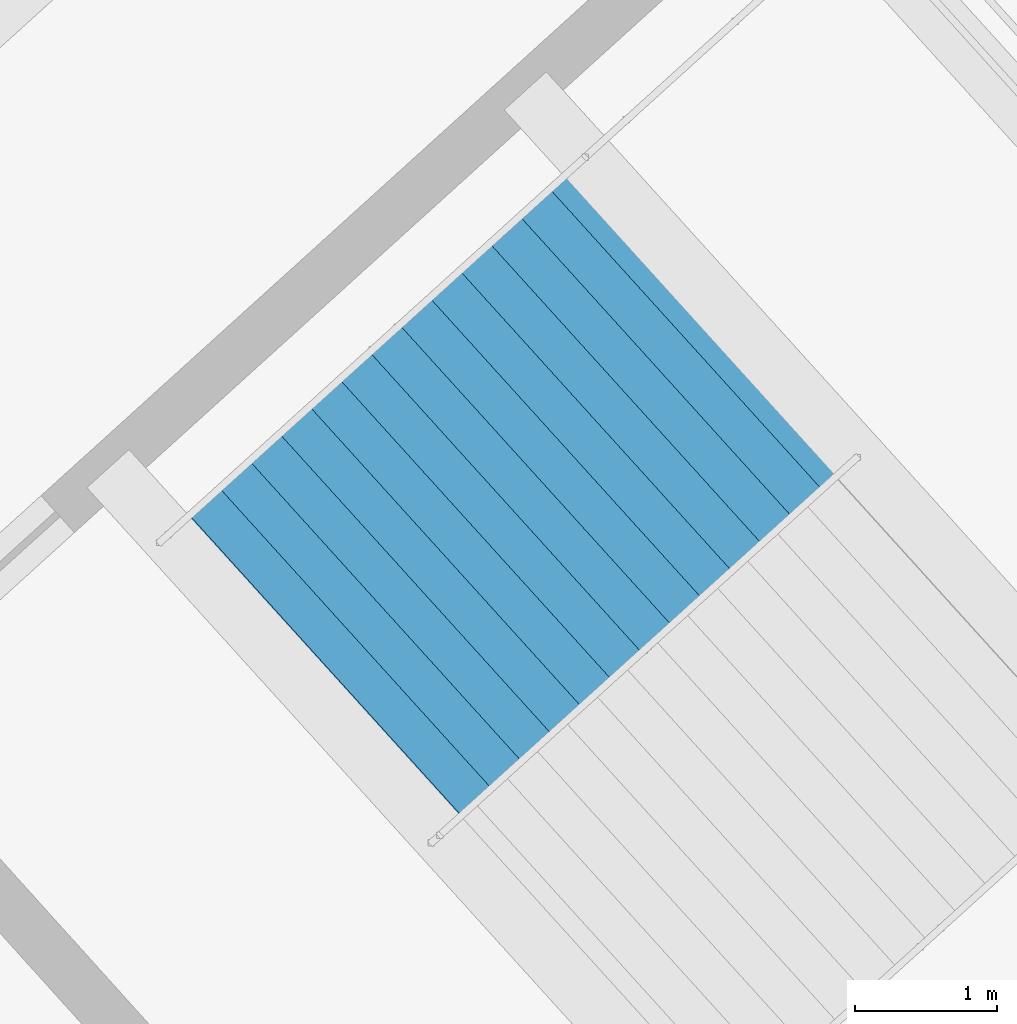
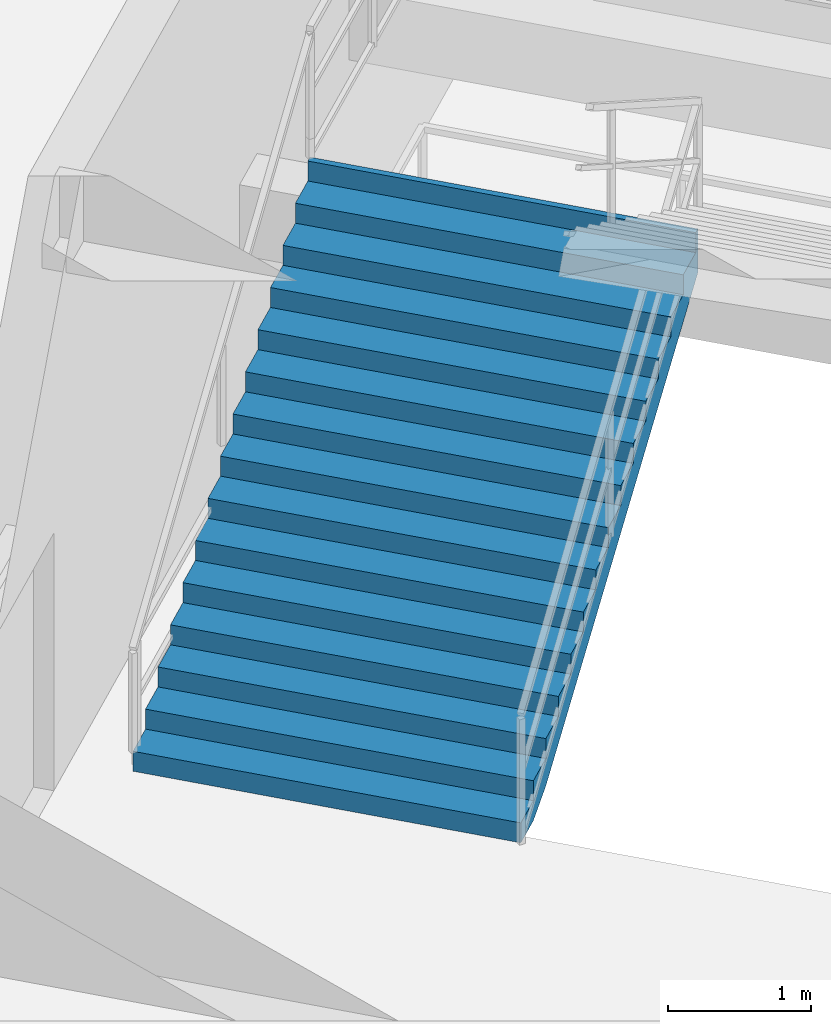
# One storey, part 162 of 184: 1 stair flight, 1 element without a shape of its own.
"""IFC4 building model written with IfcOpenShell, lengths in metres."""

import ifcopenshell
import ifcopenshell.guid

model = None  # the IFC model being written
_history = None  # IfcOwnerHistory: only IFC2X3 demands one
_inside = {}  # id of a spatial element -> (the spatial element, [elements in it])
_under = {}  # id of a project, library or spatial element -> (it, [spatial elements below it])
_declared = {}  # id of a project -> (the project, [libraries it declares])
_typed = {}  # id of a type object -> (the type object, [elements of that type])
_made_of = {}  # id of a material, layer set ... -> (it, [elements and type objects made of it])


def new_model(schema):
    """Start an empty IFC model of exactly this schema.

    Asked for "IFC4X3", IfcOpenShell would pick the latest addendum, in which some entities
    have other attributes; the version numbers below select the first issue.
    IFC2X3 requires an IfcOwnerHistory on every rooted entity: one is made here for all.
    """
    global model, _history
    if schema == "IFC4X3":
        model = ifcopenshell.file(schema_version=(4, 3, 0, 0))
    else:
        model = ifcopenshell.file(schema=schema)
    _inside.clear()
    _under.clear()
    _declared.clear()
    _typed.clear()
    _made_of.clear()
    _history = None
    if model.schema == "IFC2X3":
        org = make("IfcOrganization", Name="unknown")
        user = make(
            "IfcPersonAndOrganization",
            ThePerson=make("IfcPerson", FamilyName="unknown"),
            TheOrganization=org,
        )
        app = make(
            "IfcApplication",
            ApplicationDeveloper=org,
            Version="unknown",
            ApplicationFullName="unknown",
            ApplicationIdentifier="unknown",
        )
        _history = make(
            "IfcOwnerHistory",
            OwningUser=user,
            OwningApplication=app,
            ChangeAction="ADDED",
            CreationDate=0,
        )
    return model


def make(cls, **values):
    """One entity of the class cls with the attributes given. An attribute that is None is left unset."""
    return model.create_entity(
        cls, **{name: value for name, value in values.items() if value is not None}
    )


def rooted(cls, **values):
    """An entity with a GlobalId (a new one), such as an element, a storey or a relation."""
    return make(cls, GlobalId=ifcopenshell.guid.new(), OwnerHistory=_history, **values)


def si_unit(unit_type, name, prefix=None):
    """IfcSIUnit, for example si_unit("LENGTHUNIT", "METRE", prefix="MILLI")."""
    return make("IfcSIUnit", UnitType=unit_type, Prefix=prefix, Name=name)


def assignment(units):
    """IfcUnitAssignment: the units of a project."""
    return None if units is None else make("IfcUnitAssignment", Units=units)


def point(xyz):
    """IfcCartesianPoint."""
    return None if xyz is None else make("IfcCartesianPoint", Coordinates=xyz)


def direction(xyz):
    """IfcDirection."""
    return None if xyz is None else make("IfcDirection", DirectionRatios=xyz)


def frame(location, z_axis=None, x_axis=None):
    """IfcAxis2Placement3D, a coordinate frame: its origin and axes. An axis left out is left unset."""
    return make(
        "IfcAxis2Placement3D",
        Location=point(location),
        Axis=direction(z_axis),
        RefDirection=direction(x_axis),
    )


def origin():
    """The frame at (0, 0, 0) with its axes left unset."""
    return frame((0.0, 0.0, 0.0))


def place(relative_to, where):
    """IfcLocalPlacement: puts the frame where relative to a parent placement (None: the world)."""
    return make(
        "IfcLocalPlacement", PlacementRelTo=relative_to, RelativePlacement=where
    )


def context(
    kind, dimensions, precision=None, world=None, true_north=None, identifier=None
):
    """IfcGeometricRepresentationContext, for example the 3D "Model" context."""
    return make(
        "IfcGeometricRepresentationContext",
        ContextIdentifier=identifier,
        ContextType=kind,
        CoordinateSpaceDimension=dimensions,
        Precision=precision,
        WorldCoordinateSystem=world,
        TrueNorth=true_north,
    )


def subcontext(parent, identifier, kind, view, scale=None):
    """IfcGeometricRepresentationSubContext, for example "Body" below "Model"."""
    return make(
        "IfcGeometricRepresentationSubContext",
        ContextIdentifier=identifier,
        ContextType=kind,
        ParentContext=parent,
        TargetScale=scale,
        TargetView=view,
    )


def project(units=None, contexts=None):
    """IfcProject with its units and contexts."""
    return rooted(
        "IfcProject",
        Name="project",
        RepresentationContexts=contexts,
        UnitsInContext=assignment(units),
    )


def spatial(cls, under=None, at=None, **own):
    """A site, building, storey or space (cls), placed at a placement, below another one or the project."""
    s = rooted(cls, ObjectPlacement=at, **own)
    if under is not None:
        _under.setdefault(under.id(), (under, []))[1].append(s)
    return s


def point_list(points):
    """IfcCartesianPointList2D or 3D."""
    cls = (
        "IfcCartesianPointList2D" if len(points[0]) == 2 else "IfcCartesianPointList3D"
    )
    return make(cls, CoordList=points)


def polygons(points, faces, closed=None, point_numbers=None):
    """IfcPolygonalFaceSet: a face is its outer loop, then its inner loops; points numbered from 1."""
    made = []
    for loops in faces:
        if len(loops) == 1:
            made.append(make("IfcIndexedPolygonalFace", CoordIndex=loops[0]))
        else:
            made.append(
                make(
                    "IfcIndexedPolygonalFaceWithVoids",
                    CoordIndex=loops[0],
                    InnerCoordIndices=loops[1:],
                )
            )
    return make(
        "IfcPolygonalFaceSet",
        Coordinates=point_list(points),
        Closed=closed,
        Faces=made,
        PnIndex=point_numbers,
    )


def shape(context_of_items, identifier, shape_type, items):
    """IfcShapeRepresentation: the items that make up one representation, for example the "Body"."""
    return make(
        "IfcShapeRepresentation",
        ContextOfItems=context_of_items,
        RepresentationIdentifier=identifier,
        RepresentationType=shape_type,
        Items=items,
    )


def material(Name=None, Category=None):
    """IfcMaterial."""
    return make("IfcMaterial", Name=Name, Category=Category)


def made_of(thing, what):
    """Note that an element or type object is made of a material, layer set ...; save() writes the relation."""
    if what is not None:
        _made_of.setdefault(what.id(), (what, []))[1].append(thing)
    return thing


def type_object(cls, material=None, **own):
    """A type object (cls), such as IfcWallType, which elements share."""
    return made_of(rooted(cls, **own), material)


def element(
    cls,
    number,
    at=None,
    inside=None,
    cuts=None,
    type_object=None,
    material=None,
    context=None,
    identifier="Body",
    shape_type=None,
    held_by="IfcProductDefinitionShape",
    body=None,
    shapes=None,
    **own,
):
    """One element of the class cls, such as IfcWall. Its Tag is "e" and its number.

    at: its placement. inside: the storey or other place that contains it. cuts: it is an
    opening in that element (IfcRelVoidsElement). A single representation is given by context,
    identifier, shape_type and body (its items); several are given by shapes. held_by: the class
    of the entity that holds the representations. save() writes the other relations.
    """
    e = rooted(cls, Tag="e%d" % number, ObjectPlacement=at, **own)
    if body is not None:
        shapes = [shape(context, identifier, shape_type, body)]
    if shapes is not None:
        e.Representation = make(held_by, Representations=shapes)
    if inside is not None:
        _inside.setdefault(inside.id(), (inside, []))[1].append(e)
    if cuts is not None:
        rooted(
            "IfcRelVoidsElement", RelatingBuildingElement=cuts, RelatedOpeningElement=e
        )
    if type_object is not None:
        _typed.setdefault(type_object.id(), (type_object, []))[1].append(e)
    return made_of(e, material)


def aggregate(whole, parts):
    """IfcRelAggregates: a whole, such as a stair, and the parts it consists of."""
    return rooted("IfcRelAggregates", RelatingObject=whole, RelatedObjects=parts)


def save(model, path):
    """Write the relations noted so far, then the file.

    IfcRelAggregates (storeys below a building ...), IfcRelContainedInSpatialStructure (elements
    in a storey), IfcRelDefinesByType, IfcRelAssociatesMaterial and IfcRelDeclares: one each for
    every whole, place, type object, material and project.
    """
    for whole, parts in _under.values():
        aggregate(whole, parts)
    for where, things in _inside.values():
        rooted(
            "IfcRelContainedInSpatialStructure",
            RelatedElements=things,
            RelatingStructure=where,
        )
    for kind, things in _typed.values():
        rooted("IfcRelDefinesByType", RelatedObjects=things, RelatingType=kind)
    for what, things in _made_of.values():
        rooted("IfcRelAssociatesMaterial", RelatedObjects=things, RelatingMaterial=what)
    for by, libraries in _declared.values():
        rooted("IfcRelDeclares", RelatingContext=by, RelatedDefinitions=libraries)
    model.write(path)


model = new_model("IFC4")

# Units and contexts
model_context = context("Model", 3, precision=1e-05, world=origin(), true_north=direction((0.0, 1.0)))
body_context = subcontext(model_context, "Body", "Model", "MODEL_VIEW")
ifc_project = project(units=[si_unit("LENGTHUNIT", "METRE"), si_unit("AREAUNIT", "SQUARE_METRE"), si_unit("VOLUMEUNIT", "CUBIC_METRE"), si_unit("PLANEANGLEUNIT", "RADIAN"), si_unit("MASSUNIT", "GRAM", prefix="KILO")], contexts=[model_context])

# Site, building, storey
site_placement = place(None, origin())
site = spatial("IfcSite", under=ifc_project, at=site_placement, CompositionType="ELEMENT")
building_placement = place(site_placement, origin())
building = spatial("IfcBuilding", under=site, at=building_placement, Name="Kazemori Nagisa Stadium", CompositionType="ELEMENT")
storey_placement = place(building_placement, frame((0.0, 0.0, 10.5400390625)))
storey = spatial("IfcBuildingStorey", under=building, at=storey_placement, Name="L02", CompositionType="ELEMENT", Elevation=10.5400390625)

# Stair, stair flight
ifc_material = material(Name="Concrete C36/45 (Fc36)", Category="concrete")
stair_type = type_object("IfcStairType", Name="Stair_CORE_30", PredefinedType="TWO_STRAIGHT_RUN_STAIR", material=ifc_material)
stair_placement = place(storey_placement, origin())
stair = element("IfcStair", 1, at=stair_placement, inside=storey, type_object=stair_type, Name="Exit stair ST04 L02", PredefinedType="TWO_STRAIGHT_RUN_STAIR")
stair_flight_type = type_object("IfcStairFlightType", Name="Flight_CORE_15", PredefinedType="STRAIGHT", material=ifc_material)
stair_flight_placement = place(storey_placement, frame((182.77587890625, 39.410400390625, 0.0), z_axis=(0.0, 0.0, 1.0), x_axis=(0.741356002691, 0.671111970742, 0.0)))
stair_flight = element("IfcStairFlight", 2, at=stair_flight_placement, type_object=stair_flight_type, Name="Exit stair ST04 L02 flight 1", NumberOfRisers=15, NumberOfTreads=14, PredefinedType="STRAIGHT", RiserHeight=0.17, TreadLength=0.285, context=body_context, shape_type="Tessellation", body=[
    polygons([(0.0, -1.425048828125, 0.0), (0.0, -1.425048828125, 0.169921875), (0.284912109375, -1.425048828125, 0.169921875), (0.284912109375, -1.425048828125, 0.340087890625), (0.570068359375, -1.425048828125, 0.340087890625), (0.570068359375, -1.425048828125, 0.510009765625), (0.85498046875, -1.425048828125, 0.510009765625), (0.85498046875, -1.425048828125, 0.679931640625), (1.139892578125, -1.425048828125, 0.679931640625), (1.139892578125, -1.425048828125, 0.85009765625), (1.425048828125, -1.425048828125, 0.85009765625), (1.425048828125, -1.425048828125, 1.02001953125), (1.7099609375, -1.425048828125, 1.02001953125), (1.7099609375, -1.425048828125, 1.18994140625), (1.9951171875, -1.425048828125, 1.18994140625), (1.9951171875, -1.425048828125, 1.360107421875), (2.280029296875, -1.425048828125, 1.360107421875), (2.280029296875, -1.425048828125, 1.530029296875), (2.56494140625, -1.425048828125, 1.530029296875), (2.56494140625, -1.425048828125, 1.699951171875), (2.85009765625, -1.425048828125, 1.699951171875), (2.85009765625, -1.425048828125, 1.8701171875), (3.135009765625, -1.425048828125, 1.8701171875), (3.135009765625, -1.425048828125, 2.0400390625), (3.419921875, -1.425048828125, 2.0400390625), (3.419921875, -1.425048828125, 2.2099609375), (3.705078125, -1.425048828125, 2.2099609375), (3.705078125, -1.425048828125, 2.3798828125), (3.989990234375, -1.425048828125, 2.3798828125), (3.989990234375, -1.425048828125, 2.550048828125), (4.0400390625, -1.425048828125, 2.550048828125), (4.0400390625, -1.425048828125, 2.177001953125), (3.989990234375, -1.425048828125, 2.147216796875), (3.705078125, -1.425048828125, 1.977294921875), (3.419921875, -1.425048828125, 1.80712890625), (3.135009765625, -1.425048828125, 1.63720703125), (2.85009765625, -1.425048828125, 1.46728515625), (2.56494140625, -1.425048828125, 1.297119140625), (2.280029296875, -1.425048828125, 1.127197265625), (1.9951171875, -1.425048828125, 0.957275390625), (1.7099609375, -1.425048828125, 0.787109375), (1.425048828125, -1.425048828125, 0.6171875), (1.139892578125, -1.425048828125, 0.447265625), (0.85498046875, -1.425048828125, 0.277099609375), (0.570068359375, -1.425048828125, 0.107177734375), (0.284912109375, -1.425048828125, 0.0), (0.0, -0.08544921875, 0.0), (0.0, -0.08544921875, 0.169921875), (0.284912109375, -0.08544921875, 0.169921875), (0.284912109375, -0.08544921875, 0.340087890625), (0.570068359375, -0.08544921875, 0.340087890625), (0.570068359375, -0.08544921875, 0.510009765625), (0.85498046875, -0.08544921875, 0.510009765625), (0.85498046875, -0.08544921875, 0.679931640625), (1.139892578125, -0.08544921875, 0.679931640625), (1.139892578125, -0.08544921875, 0.85009765625), (1.425048828125, -0.08544921875, 0.85009765625), (1.425048828125, -0.08544921875, 1.02001953125), (1.7099609375, -0.08544921875, 1.02001953125), (1.7099609375, -0.08544921875, 1.18994140625), (1.9951171875, -0.08544921875, 1.18994140625), (1.9951171875, -0.08544921875, 1.360107421875), (2.280029296875, -0.08544921875, 1.360107421875), (2.280029296875, -0.08544921875, 1.530029296875), (2.56494140625, -0.08544921875, 1.530029296875), (2.56494140625, -0.08544921875, 1.699951171875), (2.85009765625, -0.08544921875, 1.699951171875), (2.85009765625, -0.08544921875, 1.8701171875), (3.135009765625, -0.08544921875, 1.8701171875), (3.135009765625, -0.08544921875, 2.0400390625), (3.419921875, -0.08544921875, 2.0400390625), (3.419921875, -0.08544921875, 2.2099609375), (3.705078125, -0.08544921875, 2.2099609375), (3.705078125, -0.08544921875, 2.3798828125), (3.989990234375, -0.08544921875, 2.3798828125), (3.989990234375, -0.08544921875, 2.550048828125), (4.0400390625, -0.08544921875, 2.550048828125), (4.0400390625, -0.08544921875, 2.177001953125), (3.989990234375, -0.08544921875, 2.147216796875), (3.705078125, -0.08544921875, 1.977294921875), (3.419921875, -0.08544921875, 1.80712890625), (3.135009765625, -0.08544921875, 1.63720703125), (2.85009765625, -0.08544921875, 1.46728515625), (2.56494140625, -0.08544921875, 1.297119140625), (2.280029296875, -0.08544921875, 1.127197265625), (1.9951171875, -0.08544921875, 0.957275390625), (1.7099609375, -0.08544921875, 0.787109375), (1.425048828125, -0.08544921875, 0.6171875), (1.139892578125, -0.08544921875, 0.447265625), (0.85498046875, -0.08544921875, 0.277099609375), (0.570068359375, -0.08544921875, 0.107177734375), (0.284912109375, -0.08544921875, 0.0), (0.0, 0.0, 0.0), (0.0, 0.0, 0.169921875), (0.284912109375, 0.0, 0.169921875), (0.284912109375, 0.0, 0.340087890625), (0.570068359375, 0.0, 0.340087890625), (0.570068359375, 0.0, 0.510009765625), (0.85498046875, 0.0, 0.510009765625), (0.85498046875, 0.0, 0.679931640625), (1.139892578125, 0.0, 0.679931640625), (1.139892578125, 0.0, 0.85009765625), (1.425048828125, 0.0, 0.85009765625), (1.425048828125, 0.0, 1.02001953125), (1.7099609375, 0.0, 1.02001953125), (1.7099609375, 0.0, 1.18994140625), (1.9951171875, 0.0, 1.18994140625), (1.9951171875, 0.0, 1.360107421875), (2.280029296875, 0.0, 1.360107421875), (2.280029296875, 0.0, 1.530029296875), (2.56494140625, 0.0, 1.530029296875), (2.56494140625, 0.0, 1.699951171875), (2.85009765625, 0.0, 1.699951171875), (2.85009765625, 0.0, 1.8701171875), (3.135009765625, 0.0, 1.8701171875), (3.135009765625, 0.0, 2.0400390625), (3.419921875, 0.0, 2.0400390625), (3.419921875, 0.0, 2.2099609375), (3.705078125, 0.0, 2.2099609375), (3.705078125, 0.0, 2.3798828125), (3.989990234375, 0.0, 2.3798828125), (3.989990234375, 0.0, 2.550048828125), (4.0400390625, 0.0, 2.550048828125), (4.0400390625, 0.0, 2.177001953125), (3.989990234375, 0.0, 2.147216796875), (3.705078125, 0.0, 1.977294921875), (3.419921875, 0.0, 1.80712890625), (3.135009765625, 0.0, 1.63720703125), (2.85009765625, 0.0, 1.46728515625), (2.56494140625, 0.0, 1.297119140625), (2.280029296875, 0.0, 1.127197265625), (1.9951171875, 0.0, 0.957275390625), (1.7099609375, 0.0, 0.787109375), (1.425048828125, 0.0, 0.6171875), (1.139892578125, 0.0, 0.447265625), (0.85498046875, 0.0, 0.277099609375), (0.570068359375, 0.0, 0.107177734375), (0.284912109375, 0.0, 0.0), (0.0, 0.08544921875, 0.0), (0.0, 0.08544921875, 0.169921875), (0.284912109375, 0.08544921875, 0.169921875), (0.284912109375, 0.08544921875, 0.340087890625), (0.570068359375, 0.08544921875, 0.340087890625), (0.570068359375, 0.08544921875, 0.510009765625), (0.85498046875, 0.08544921875, 0.510009765625), (0.85498046875, 0.08544921875, 0.679931640625), (1.139892578125, 0.08544921875, 0.679931640625), (1.139892578125, 0.08544921875, 0.85009765625), (1.425048828125, 0.08544921875, 0.85009765625), (1.425048828125, 0.08544921875, 1.02001953125), (1.7099609375, 0.08544921875, 1.02001953125), (1.7099609375, 0.08544921875, 1.18994140625), (1.9951171875, 0.08544921875, 1.18994140625), (1.9951171875, 0.08544921875, 1.360107421875), (2.280029296875, 0.08544921875, 1.360107421875), (2.280029296875, 0.08544921875, 1.530029296875), (2.56494140625, 0.08544921875, 1.530029296875), (2.56494140625, 0.08544921875, 1.699951171875), (2.85009765625, 0.08544921875, 1.699951171875), (2.85009765625, 0.08544921875, 1.8701171875), (3.135009765625, 0.08544921875, 1.8701171875), (3.135009765625, 0.08544921875, 2.0400390625), (3.419921875, 0.08544921875, 2.0400390625), (3.419921875, 0.08544921875, 2.2099609375), (3.705078125, 0.08544921875, 2.2099609375), (3.705078125, 0.08544921875, 2.3798828125), (3.989990234375, 0.08544921875, 2.3798828125), (3.989990234375, 0.08544921875, 2.550048828125), (4.0400390625, 0.08544921875, 2.550048828125), (4.0400390625, 0.08544921875, 2.177001953125), (3.989990234375, 0.08544921875, 2.147216796875), (3.705078125, 0.08544921875, 1.977294921875), (3.419921875, 0.08544921875, 1.80712890625), (3.135009765625, 0.08544921875, 1.63720703125), (2.85009765625, 0.08544921875, 1.46728515625), (2.56494140625, 0.08544921875, 1.297119140625), (2.280029296875, 0.08544921875, 1.127197265625), (1.9951171875, 0.08544921875, 0.957275390625), (1.7099609375, 0.08544921875, 0.787109375), (1.425048828125, 0.08544921875, 0.6171875), (1.139892578125, 0.08544921875, 0.447265625), (0.85498046875, 0.08544921875, 0.277099609375), (0.570068359375, 0.08544921875, 0.107177734375), (0.284912109375, 0.08544921875, 0.0), (0.0, 1.425048828125, 0.0), (0.0, 1.425048828125, 0.169921875), (0.284912109375, 1.425048828125, 0.169921875), (0.284912109375, 1.425048828125, 0.340087890625), (0.570068359375, 1.425048828125, 0.340087890625), (0.570068359375, 1.425048828125, 0.510009765625), (0.85498046875, 1.425048828125, 0.510009765625), (0.85498046875, 1.425048828125, 0.679931640625), (1.139892578125, 1.425048828125, 0.679931640625), (1.139892578125, 1.425048828125, 0.85009765625), (1.425048828125, 1.425048828125, 0.85009765625), (1.425048828125, 1.425048828125, 1.02001953125), (1.7099609375, 1.425048828125, 1.02001953125), (1.7099609375, 1.425048828125, 1.18994140625), (1.9951171875, 1.425048828125, 1.18994140625), (1.9951171875, 1.425048828125, 1.360107421875), (2.280029296875, 1.425048828125, 1.360107421875), (2.280029296875, 1.425048828125, 1.530029296875), (2.56494140625, 1.425048828125, 1.530029296875), (2.56494140625, 1.425048828125, 1.699951171875), (2.85009765625, 1.425048828125, 1.699951171875), (2.85009765625, 1.425048828125, 1.8701171875), (3.135009765625, 1.425048828125, 1.8701171875), (3.135009765625, 1.425048828125, 2.0400390625), (3.419921875, 1.425048828125, 2.0400390625), (3.419921875, 1.425048828125, 2.2099609375), (3.705078125, 1.425048828125, 2.2099609375), (3.705078125, 1.425048828125, 2.3798828125), (3.989990234375, 1.425048828125, 2.3798828125), (3.989990234375, 1.425048828125, 2.550048828125), (4.0400390625, 1.425048828125, 2.550048828125), (4.0400390625, 1.425048828125, 2.177001953125), (3.989990234375, 1.425048828125, 2.147216796875), (3.705078125, 1.425048828125, 1.977294921875), (3.419921875, 1.425048828125, 1.80712890625), (3.135009765625, 1.425048828125, 1.63720703125), (2.85009765625, 1.425048828125, 1.46728515625), (2.56494140625, 1.425048828125, 1.297119140625), (2.280029296875, 1.425048828125, 1.127197265625), (1.9951171875, 1.425048828125, 0.957275390625), (1.7099609375, 1.425048828125, 0.787109375), (1.425048828125, 1.425048828125, 0.6171875), (1.139892578125, 1.425048828125, 0.447265625), (0.85498046875, 1.425048828125, 0.277099609375), (0.570068359375, 1.425048828125, 0.107177734375), (0.284912109375, 1.425048828125, 0.0)], [[[1, 2, 48]], [[1, 48, 47]], [[2, 3, 49]], [[2, 49, 48]], [[3, 4, 50]], [[3, 50, 49]], [[4, 5, 51]], [[4, 51, 50]], [[5, 6, 52]], [[5, 52, 51]], [[6, 7, 53]], [[6, 53, 52]], [[7, 8, 54]], [[7, 54, 53]], [[8, 9, 55]], [[8, 55, 54]], [[9, 10, 56]], [[9, 56, 55]], [[10, 11, 57]], [[10, 57, 56]], [[11, 12, 58]], [[11, 58, 57]], [[12, 13, 59]], [[12, 59, 58]], [[13, 14, 60]], [[13, 60, 59]], [[14, 15, 61]], [[14, 61, 60]], [[15, 16, 62]], [[15, 62, 61]], [[16, 17, 63]], [[16, 63, 62]], [[17, 18, 64]], [[17, 64, 63]], [[18, 19, 65]], [[18, 65, 64]], [[19, 20, 66]], [[19, 66, 65]], [[20, 21, 67]], [[20, 67, 66]], [[21, 22, 68]], [[21, 68, 67]], [[22, 23, 69]], [[22, 69, 68]], [[23, 24, 70]], [[23, 70, 69]], [[24, 25, 71]], [[24, 71, 70]], [[25, 26, 72]], [[25, 72, 71]], [[26, 27, 73]], [[26, 73, 72]], [[27, 28, 74]], [[27, 74, 73]], [[28, 29, 75]], [[28, 75, 74]], [[29, 30, 76]], [[29, 76, 75]], [[30, 31, 77]], [[30, 77, 76]], [[31, 32, 78]], [[31, 78, 77]], [[32, 33, 79]], [[32, 79, 78]], [[33, 34, 80]], [[33, 80, 79]], [[34, 35, 81]], [[34, 81, 80]], [[35, 36, 82]], [[35, 82, 81]], [[36, 37, 83]], [[36, 83, 82]], [[37, 38, 84]], [[37, 84, 83]], [[38, 39, 85]], [[38, 85, 84]], [[39, 40, 86]], [[39, 86, 85]], [[40, 41, 87]], [[40, 87, 86]], [[41, 42, 88]], [[41, 88, 87]], [[42, 43, 89]], [[42, 89, 88]], [[43, 44, 90]], [[43, 90, 89]], [[44, 45, 91]], [[44, 91, 90]], [[45, 46, 92]], [[45, 92, 91]], [[46, 1, 47]], [[46, 47, 92]], [[47, 48, 94]], [[47, 94, 93]], [[48, 49, 95]], [[48, 95, 94]], [[49, 50, 96]], [[49, 96, 95]], [[50, 51, 97]], [[50, 97, 96]], [[51, 52, 98]], [[51, 98, 97]], [[52, 53, 99]], [[52, 99, 98]], [[53, 54, 100]], [[53, 100, 99]], [[54, 55, 101]], [[54, 101, 100]], [[55, 56, 102]], [[55, 102, 101]], [[56, 57, 103]], [[56, 103, 102]], [[57, 58, 104]], [[57, 104, 103]], [[58, 59, 105]], [[58, 105, 104]], [[59, 60, 106]], [[59, 106, 105]], [[60, 61, 107]], [[60, 107, 106]], [[61, 62, 108]], [[61, 108, 107]], [[62, 63, 109]], [[62, 109, 108]], [[63, 64, 110]], [[63, 110, 109]], [[64, 65, 111]], [[64, 111, 110]], [[65, 66, 112]], [[65, 112, 111]], [[66, 67, 113]], [[66, 113, 112]], [[67, 68, 114]], [[67, 114, 113]], [[68, 69, 115]], [[68, 115, 114]], [[69, 70, 116]], [[69, 116, 115]], [[70, 71, 117]], [[70, 117, 116]], [[71, 72, 118]], [[71, 118, 117]], [[72, 73, 119]], [[72, 119, 118]], [[73, 74, 120]], [[73, 120, 119]], [[74, 75, 121]], [[74, 121, 120]], [[75, 76, 122]], [[75, 122, 121]], [[76, 77, 123]], [[76, 123, 122]], [[77, 78, 124]], [[77, 124, 123]], [[78, 79, 125]], [[78, 125, 124]], [[79, 80, 126]], [[79, 126, 125]], [[80, 81, 127]], [[80, 127, 126]], [[81, 82, 128]], [[81, 128, 127]], [[82, 83, 129]], [[82, 129, 128]], [[83, 84, 130]], [[83, 130, 129]], [[84, 85, 131]], [[84, 131, 130]], [[85, 86, 132]], [[85, 132, 131]], [[86, 87, 133]], [[86, 133, 132]], [[87, 88, 134]], [[87, 134, 133]], [[88, 89, 135]], [[88, 135, 134]], [[89, 90, 136]], [[89, 136, 135]], [[90, 91, 137]], [[90, 137, 136]], [[91, 92, 138]], [[91, 138, 137]], [[92, 47, 93]], [[92, 93, 138]], [[93, 94, 140]], [[93, 140, 139]], [[94, 95, 141]], [[94, 141, 140]], [[95, 96, 142]], [[95, 142, 141]], [[96, 97, 143]], [[96, 143, 142]], [[97, 98, 144]], [[97, 144, 143]], [[98, 99, 145]], [[98, 145, 144]], [[99, 100, 146]], [[99, 146, 145]], [[100, 101, 147]], [[100, 147, 146]], [[101, 102, 148]], [[101, 148, 147]], [[102, 103, 149]], [[102, 149, 148]], [[103, 104, 150]], [[103, 150, 149]], [[104, 105, 151]], [[104, 151, 150]], [[105, 106, 152]], [[105, 152, 151]], [[106, 107, 153]], [[106, 153, 152]], [[107, 108, 154]], [[107, 154, 153]], [[108, 109, 155]], [[108, 155, 154]], [[109, 110, 156]], [[109, 156, 155]], [[110, 111, 157]], [[110, 157, 156]], [[111, 112, 158]], [[111, 158, 157]], [[112, 113, 159]], [[112, 159, 158]], [[113, 114, 160]], [[113, 160, 159]], [[114, 115, 161]], [[114, 161, 160]], [[115, 116, 162]], [[115, 162, 161]], [[116, 117, 163]], [[116, 163, 162]], [[117, 118, 164]], [[117, 164, 163]], [[118, 119, 165]], [[118, 165, 164]], [[119, 120, 166]], [[119, 166, 165]], [[120, 121, 167]], [[120, 167, 166]], [[121, 122, 168]], [[121, 168, 167]], [[122, 123, 169]], [[122, 169, 168]], [[123, 124, 170]], [[123, 170, 169]], [[124, 125, 171]], [[124, 171, 170]], [[125, 126, 172]], [[125, 172, 171]], [[126, 127, 173]], [[126, 173, 172]], [[127, 128, 174]], [[127, 174, 173]], [[128, 129, 175]], [[128, 175, 174]], [[129, 130, 176]], [[129, 176, 175]], [[130, 131, 177]], [[130, 177, 176]], [[131, 132, 178]], [[131, 178, 177]], [[132, 133, 179]], [[132, 179, 178]], [[133, 134, 180]], [[133, 180, 179]], [[134, 135, 181]], [[134, 181, 180]], [[135, 136, 182]], [[135, 182, 181]], [[136, 137, 183]], [[136, 183, 182]], [[137, 138, 184]], [[137, 184, 183]], [[138, 93, 139]], [[138, 139, 184]], [[139, 140, 186]], [[139, 186, 185]], [[140, 141, 187]], [[140, 187, 186]], [[141, 142, 188]], [[141, 188, 187]], [[142, 143, 189]], [[142, 189, 188]], [[143, 144, 190]], [[143, 190, 189]], [[144, 145, 191]], [[144, 191, 190]], [[145, 146, 192]], [[145, 192, 191]], [[146, 147, 193]], [[146, 193, 192]], [[147, 148, 194]], [[147, 194, 193]], [[148, 149, 195]], [[148, 195, 194]], [[149, 150, 196]], [[149, 196, 195]], [[150, 151, 197]], [[150, 197, 196]], [[151, 152, 198]], [[151, 198, 197]], [[152, 153, 199]], [[152, 199, 198]], [[153, 154, 200]], [[153, 200, 199]], [[154, 155, 201]], [[154, 201, 200]], [[155, 156, 202]], [[155, 202, 201]], [[156, 157, 203]], [[156, 203, 202]], [[157, 158, 204]], [[157, 204, 203]], [[158, 159, 205]], [[158, 205, 204]], [[159, 160, 206]], [[159, 206, 205]], [[160, 161, 207]], [[160, 207, 206]], [[161, 162, 208]], [[161, 208, 207]], [[162, 163, 209]], [[162, 209, 208]], [[163, 164, 210]], [[163, 210, 209]], [[164, 165, 211]], [[164, 211, 210]], [[165, 166, 212]], [[165, 212, 211]], [[166, 167, 213]], [[166, 213, 212]], [[167, 168, 214]], [[167, 214, 213]], [[168, 169, 215]], [[168, 215, 214]], [[169, 170, 216]], [[169, 216, 215]], [[170, 171, 217]], [[170, 217, 216]], [[171, 172, 218]], [[171, 218, 217]], [[172, 173, 219]], [[172, 219, 218]], [[173, 174, 220]], [[173, 220, 219]], [[174, 175, 221]], [[174, 221, 220]], [[175, 176, 222]], [[175, 222, 221]], [[176, 177, 223]], [[176, 223, 222]], [[177, 178, 224]], [[177, 224, 223]], [[178, 179, 225]], [[178, 225, 224]], [[179, 180, 226]], [[179, 226, 225]], [[180, 181, 227]], [[180, 227, 226]], [[181, 182, 228]], [[181, 228, 227]], [[182, 183, 229]], [[182, 229, 228]], [[183, 184, 230]], [[183, 230, 229]], [[184, 139, 185]], [[184, 185, 230]], [[3, 2, 1]], [[185, 186, 187]], [[46, 3, 1]], [[185, 187, 230]], [[45, 3, 46]], [[230, 187, 229]], [[5, 3, 45]], [[229, 187, 189]], [[5, 4, 3]], [[187, 188, 189]], [[44, 5, 45]], [[229, 189, 228]], [[7, 5, 44]], [[228, 189, 191]], [[7, 6, 5]], [[189, 190, 191]], [[43, 7, 44]], [[228, 191, 227]], [[9, 7, 43]], [[227, 191, 193]], [[9, 8, 7]], [[191, 192, 193]], [[42, 9, 43]], [[227, 193, 226]], [[11, 9, 42]], [[226, 193, 195]], [[11, 10, 9]], [[193, 194, 195]], [[41, 11, 42]], [[226, 195, 225]], [[13, 11, 41]], [[225, 195, 197]], [[13, 12, 11]], [[195, 196, 197]], [[40, 13, 41]], [[225, 197, 224]], [[15, 13, 40]], [[224, 197, 199]], [[15, 14, 13]], [[197, 198, 199]], [[39, 15, 40]], [[224, 199, 223]], [[17, 15, 39]], [[223, 199, 201]], [[17, 16, 15]], [[199, 200, 201]], [[38, 17, 39]], [[223, 201, 222]], [[19, 17, 38]], [[222, 201, 203]], [[19, 18, 17]], [[201, 202, 203]], [[37, 19, 38]], [[222, 203, 221]], [[21, 19, 37]], [[221, 203, 205]], [[21, 20, 19]], [[203, 204, 205]], [[36, 21, 37]], [[221, 205, 220]], [[23, 21, 36]], [[220, 205, 207]], [[23, 22, 21]], [[205, 206, 207]], [[35, 23, 36]], [[220, 207, 219]], [[25, 23, 35]], [[219, 207, 209]], [[25, 24, 23]], [[207, 208, 209]], [[34, 25, 35]], [[219, 209, 218]], [[27, 25, 34]], [[218, 209, 211]], [[27, 26, 25]], [[209, 210, 211]], [[33, 27, 34]], [[218, 211, 217]], [[29, 27, 33]], [[217, 211, 213]], [[29, 28, 27]], [[211, 212, 213]], [[32, 29, 33]], [[217, 213, 216]], [[31, 29, 32]], [[216, 213, 215]], [[31, 30, 29]], [[213, 214, 215]]], closed=True),
])
aggregate(stair, [stair_flight])

save(model, "model.ifc")
